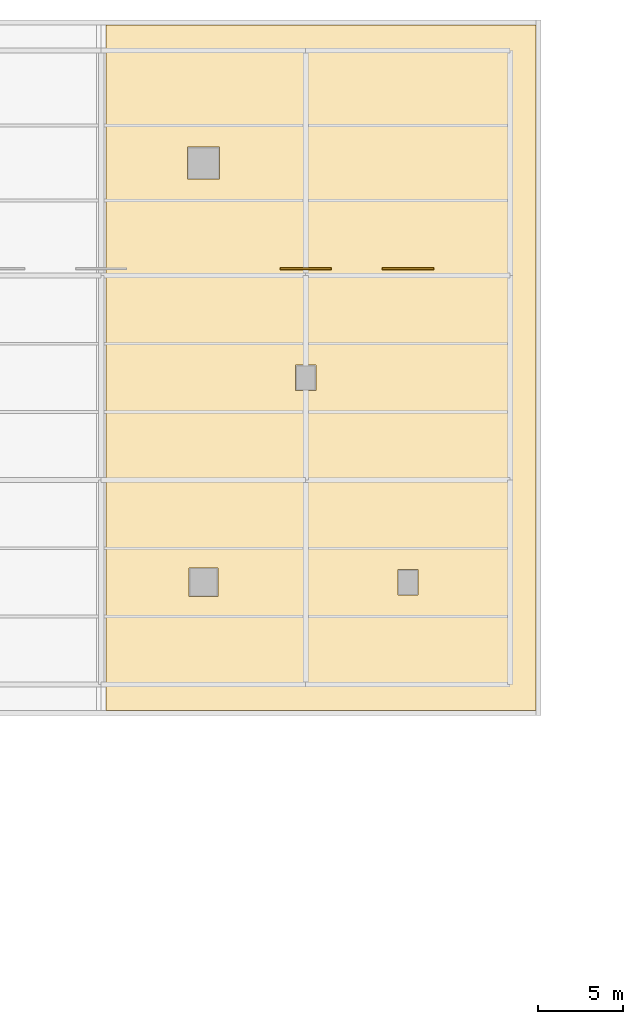
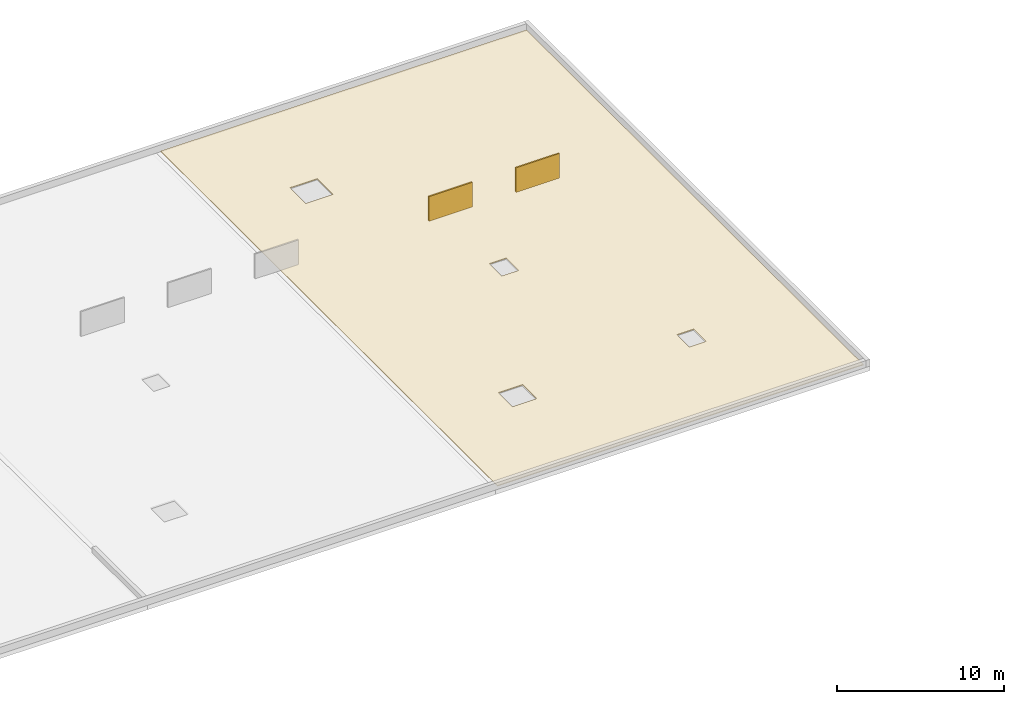
# One storey, part 159 of 159: 2 shading devices, 1 covering.
"""IFC4 building model written with IfcOpenShell, lengths in metres."""

from ifc_helpers import new_model, si_unit, direction, frame, origin, origin_2d, place, context, subcontext, project, spatial, polyline, rectangle, outline, extrude, material, layer, layer_set, type_object, element, save


model = new_model("IFC4")

# Units and contexts
model_context = context("Model", 3, precision=1e-05, world=origin(), true_north=direction((0.0, 1.0)))
body_context = subcontext(model_context, "Body", "Model", "MODEL_VIEW")
ifc_project = project(units=[si_unit("LENGTHUNIT", "METRE"), si_unit("AREAUNIT", "SQUARE_METRE"), si_unit("VOLUMEUNIT", "CUBIC_METRE"), si_unit("PLANEANGLEUNIT", "RADIAN"), si_unit("MASSUNIT", "GRAM", prefix="KILO")], contexts=[model_context])

# Site, building, storey
site_placement = place(None, origin())
site = spatial("IfcSite", under=ifc_project, at=site_placement, CompositionType="ELEMENT")
building_placement = place(site_placement, origin())
building = spatial("IfcBuilding", under=site, at=building_placement, Name="Merenkruunu Market Hall", CompositionType="ELEMENT")
storey_placement = place(building_placement, frame((0.0, 0.0, 5.39990234375)))
storey = spatial("IfcBuildingStorey", under=building, at=storey_placement, Name="L01", CompositionType="ELEMENT", Elevation=5.39990234375)

# Shading devices
ifc_material_1 = material(Name="Powder-coated aluminium", Category="aluminium")
ifc_layer_1 = layer(ifc_material_1, 0.10009765625)
ifc_layer_set_1 = layer_set([ifc_layer_1], Name="Powder-coated aluminium")
shading_device_type = type_object("IfcShadingDeviceType", Name="Acoustic Plant Louvre Screen LVR01", PredefinedType="JALOUSIE", material=ifc_layer_set_1)
for number, where, z_axis, x_axis, name in (
    (1, (136.800048828125, 112.0, 1.28076171875), (0.0, 0.0, 1.0), (1.0, 0.0, 0.0), "SHD-LVR-07"),
    (2, (142.800048828125, 112.0, 1.28076171875), (0.0, 0.0, 1.0), (1.0, 0.0, 0.0), "SHD-LVR-08"),
):
    element("IfcShadingDevice", number, at=place(storey_placement, frame(where, z_axis=z_axis, x_axis=x_axis)), inside=storey, type_object=shading_device_type, Name=name, PredefinedType="JALOUSIE", context=body_context, shape_type="SweptSolid", body=[
        extrude(rectangle(XDim=3.0, YDim=0.10009765625, at=origin_2d()), origin(), (0.0, 0.0, 1.0), 1.800048828125),
    ])

# Covering
ifc_material_2 = material(Name="High-albedo white roof membrane")
ifc_layer_2 = layer(ifc_material_2, 0.06005859375)
ifc_layer_set_2 = layer_set([ifc_layer_2], Name="High-albedo white roof membrane")
covering_type = type_object("IfcCoveringType", Name="Warm Membrane Roof Covering RFG02", PredefinedType="ROOFING", material=ifc_layer_set_2)
covering_placement = place(storey_placement, frame((0.0, 0.0, 1.220703125)))
element("IfcCovering", 3, at=covering_placement, inside=storey, type_object=covering_type, Name="COV-RFG-V5-03", PredefinedType="ROOFING", context=body_context, shape_type="SweptSolid", body=[
    extrude(outline(polyline([(125.080078125, 86.080078125), (150.320068359375, 86.080078125), (150.320068359375, 126.320068359375), (125.080078125, 126.320068359375), (125.080078125, 86.080078125)]), holes=[polyline([(136.2099609375, 104.860107421875), (137.389892578125, 104.860107421875), (137.389892578125, 106.340087890625), (136.2099609375, 106.340087890625), (136.2099609375, 104.860107421875)]), polyline([(129.9599609375, 92.760009765625), (131.639892578125, 92.760009765625), (131.639892578125, 94.43994140625), (129.9599609375, 94.43994140625), (129.9599609375, 92.760009765625)]), polyline([(129.860107421875, 117.260009765625), (131.739990234375, 117.260009765625), (131.739990234375, 119.139892578125), (129.860107421875, 119.139892578125), (129.860107421875, 117.260009765625)]), polyline([(142.2099609375, 92.860107421875), (143.389892578125, 92.860107421875), (143.389892578125, 94.340087890625), (142.2099609375, 94.340087890625), (142.2099609375, 92.860107421875)])]), origin(), (0.0, 0.0, 1.0), 0.059814453125),
])

save(model, "model.ifc")
